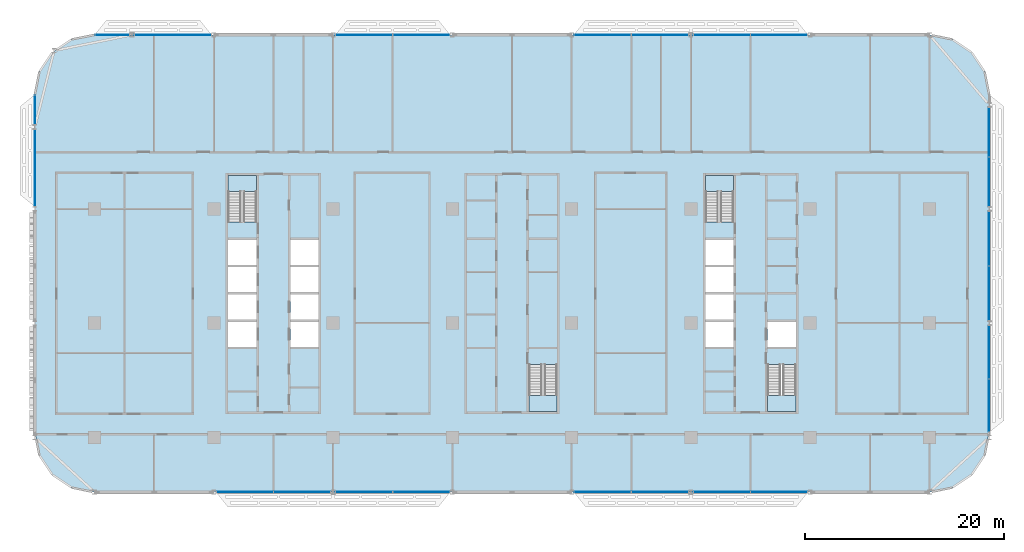
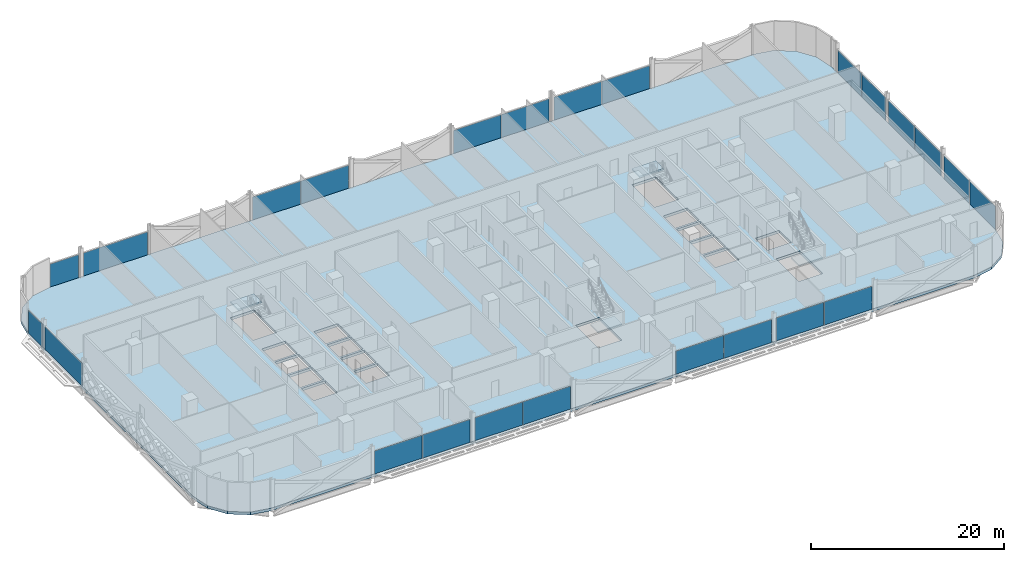
# One storey, part 11 of 29: 24 plates, 5 slabs, 18 elements without a shape of their own.
"""IFC4 building model written with IfcOpenShell, lengths in metres."""

from ifc_helpers import new_model, si_unit, direction, frame, origin, origin_2d, place, context, subcontext, project, spatial, polyline, rectangle, outline, extrude, material, layer, layer_set, type_object, element, aggregate, save


model = new_model("IFC4")

# Units and contexts
model_context = context("Model", 3, precision=1e-05, world=origin(), true_north=direction((0.0, 1.0)))
body_context = subcontext(model_context, "Body", "Model", "MODEL_VIEW")
ifc_project = project(units=[si_unit("LENGTHUNIT", "METRE"), si_unit("AREAUNIT", "SQUARE_METRE"), si_unit("VOLUMEUNIT", "CUBIC_METRE"), si_unit("PLANEANGLEUNIT", "RADIAN"), si_unit("MASSUNIT", "GRAM", prefix="KILO")], contexts=[model_context])

# Site, building, storey
site_placement = place(None, origin())
site = spatial("IfcSite", under=ifc_project, at=site_placement, CompositionType="ELEMENT")
building_placement = place(site_placement, origin())
building = spatial("IfcBuilding", under=site, at=building_placement, Name="Mahtab Terrace Research Tower", CompositionType="ELEMENT")
storey_placement = place(building_placement, frame((0.0, 0.0, 126.10009765625)))
storey = spatial("IfcBuildingStorey", under=building, at=storey_placement, Name="L29", CompositionType="ELEMENT", Elevation=126.10009765625)

# Stair, slab
ifc_material_1 = material(Name="Exit stair half-turn")
stair_type = type_object("IfcStairType", Name="Exit stair half-turn", PredefinedType="HALF_TURN_STAIR", material=ifc_material_1)
stair_1_placement = place(storey_placement, origin())
stair_1 = element("IfcStair", 1, at=stair_1_placement, inside=storey, type_object=stair_type, Name="L29 Protected exit stair ST1", PredefinedType="HALF_TURN_STAIR")
ifc_material_2 = material(Name="Concrete C40/50", Category="concrete")
ifc_layer_1 = layer(ifc_material_2, 0.199951171875)
ifc_layer_set_1 = layer_set([ifc_layer_1], Name="Exit stair landing 200")
slab_type_1 = type_object("IfcSlabType", Name="Exit stair landing 200", PredefinedType="LANDING", material=ifc_layer_set_1)
slab_1_placement = place(storey_placement, frame((0.0, 0.0, 1.849853515625)))
slab_1 = element("IfcSlab", 2, at=slab_1_placement, type_object=slab_type_1, Name="ST1 landing 1", PredefinedType="LANDING", context=body_context, shape_type="SweptSolid", body=[
    extrude(outline(polyline([(-25.699951171875, 13.2548828125), (-25.699951171875, 14.875), (-28.550048828125, 14.875), (-28.550048828125, 13.2548828125), (-25.699951171875, 13.2548828125)])), origin(), (0.0, 0.0, 1.0), 0.199951171875),
])
aggregate(stair_1, [slab_1])

stair_2_placement = place(storey_placement, origin())
stair_2 = element("IfcStair", 3, at=stair_2_placement, inside=storey, type_object=stair_type, Name="L29 Protected exit stair ST2", PredefinedType="HALF_TURN_STAIR")
slab_2_placement = place(storey_placement, frame((0.0, 0.0, 1.849853515625)))
slab_2 = element("IfcSlab", 4, at=slab_2_placement, type_object=slab_type_1, Name="ST2 landing 1", PredefinedType="LANDING", context=body_context, shape_type="SweptSolid", body=[
    extrude(outline(polyline([(1.699951171875, -7.2548828125), (1.699951171875, -8.875), (4.550048828125, -8.875), (4.550048828125, -7.2548828125), (1.699951171875, -7.2548828125)])), origin(), (0.0, 0.0, 1.0), 0.199951171875),
])
aggregate(stair_2, [slab_2])

stair_3_placement = place(storey_placement, origin())
stair_3 = element("IfcStair", 5, at=stair_3_placement, inside=storey, type_object=stair_type, Name="L29 Protected exit stair ST3", PredefinedType="HALF_TURN_STAIR")
slab_3_placement = place(storey_placement, frame((0.0, 0.0, 1.849853515625)))
slab_3 = element("IfcSlab", 6, at=slab_3_placement, type_object=slab_type_1, Name="ST3 landing 1", PredefinedType="LANDING", context=body_context, shape_type="SweptSolid", body=[
    extrude(outline(polyline([(22.300048828125, 13.2548828125), (22.300048828125, 14.875), (19.449951171875, 14.875), (19.449951171875, 13.2548828125), (22.300048828125, 13.2548828125)])), origin(), (0.0, 0.0, 1.0), 0.199951171875),
])
aggregate(stair_3, [slab_3])

stair_4_placement = place(storey_placement, origin())
stair_4 = element("IfcStair", 7, at=stair_4_placement, inside=storey, type_object=stair_type, Name="L29 Protected exit stair ST4", PredefinedType="HALF_TURN_STAIR")
slab_4_placement = place(storey_placement, frame((0.0, 0.0, 1.849853515625)))
slab_4 = element("IfcSlab", 8, at=slab_4_placement, type_object=slab_type_1, Name="ST4 landing 1", PredefinedType="LANDING", context=body_context, shape_type="SweptSolid", body=[
    extrude(outline(polyline([(25.699951171875, -7.2548828125), (25.699951171875, -8.875), (28.550048828125, -8.875), (28.550048828125, -7.2548828125), (25.699951171875, -7.2548828125)])), origin(), (0.0, 0.0, 1.0), 0.199951171875),
])
aggregate(stair_4, [slab_4])

# Curtain wall, plates
ifc_material_3 = material(Name="Laboratory ribbon curtain wall")
curtain_wall_type = type_object("IfcCurtainWallType", Name="Laboratory ribbon curtain wall", PredefinedType="NOTDEFINED", material=ifc_material_3)
curtain_wall_1_placement = place(storey_placement, origin())
curtain_wall_1 = element("IfcCurtainWall", 9, at=curtain_wall_1_placement, inside=storey, type_object=curtain_wall_type, Name="EN.L29.3.4", PredefinedType="NOTDEFINED")
ifc_material_4 = material(Name="Dark glazing", Category="glass")
ifc_layer_2 = layer(ifc_material_4, 0.031982421875)
ifc_layer_set_2 = layer_set([ifc_layer_2], Name="Laboratory ribbon curtain wall glazing panel")
plate_type = type_object("IfcPlateType", Name="Laboratory ribbon curtain wall glazing panel", PredefinedType="CURTAIN_PANEL", material=ifc_layer_set_2)
plate_1_placement = place(storey_placement, frame((26.874755859375, 29.0, 0.0), z_axis=(0.0, 0.0, 1.0), x_axis=(-1.0, 0.0, 0.0)))
plate_1 = element("IfcPlate", 10, at=plate_1_placement, type_object=plate_type, Name="CWL-4 panel 1", PredefinedType="CURTAIN_PANEL", context=body_context, shape_type="SweptSolid", body=[
    extrude(rectangle(XDim=5.6845703125, YDim=0.031982421875, at=origin_2d()), origin(), (0.0, 0.0, 1.0), 2.903076171875),
])
plate_2_placement = place(storey_placement, frame((21.125244140625, 29.0, 0.0), z_axis=(0.0, 0.0, 1.0), x_axis=(-1.0, 0.0, 0.0)))
plate_2 = element("IfcPlate", 11, at=plate_2_placement, type_object=plate_type, Name="CWL-4 panel 2", PredefinedType="CURTAIN_PANEL", context=body_context, shape_type="SweptSolid", body=[
    extrude(rectangle(XDim=5.6845703125, YDim=0.031982421875, at=origin_2d()), origin(), (0.0, 0.0, 1.0), 2.903076171875),
])
aggregate(curtain_wall_1, [plate_1, plate_2])

curtain_wall_2_placement = place(storey_placement, origin())
curtain_wall_2 = element("IfcCurtainWall", 12, at=curtain_wall_2_placement, inside=storey, type_object=curtain_wall_type, Name="EN.L29.3.5", PredefinedType="NOTDEFINED")
plate_3_placement = place(storey_placement, frame((14.874755859375, 29.0, 0.0), z_axis=(0.0, 0.0, 1.0), x_axis=(-1.0, 0.0, 0.0)))
plate_3 = element("IfcPlate", 13, at=plate_3_placement, type_object=plate_type, Name="CWL-4 panel 1", PredefinedType="CURTAIN_PANEL", context=body_context, shape_type="SweptSolid", body=[
    extrude(rectangle(XDim=5.6845703125, YDim=0.031982421875, at=origin_2d()), origin(), (0.0, 0.0, 1.0), 2.903076171875),
])
plate_4_placement = place(storey_placement, frame((9.125244140625, 29.0, 0.0), z_axis=(0.0, 0.0, 1.0), x_axis=(-1.0, 0.0, 0.0)))
plate_4 = element("IfcPlate", 14, at=plate_4_placement, type_object=plate_type, Name="CWL-4 panel 2", PredefinedType="CURTAIN_PANEL", context=body_context, shape_type="SweptSolid", body=[
    extrude(rectangle(XDim=5.6845703125, YDim=0.031982421875, at=origin_2d()), origin(), (0.0, 0.0, 1.0), 2.903076171875),
])
aggregate(curtain_wall_2, [plate_3, plate_4])

curtain_wall_3_placement = place(storey_placement, origin())
curtain_wall_3 = element("IfcCurtainWall", 15, at=curtain_wall_3_placement, inside=storey, type_object=curtain_wall_type, Name="EN.L29.3.7", PredefinedType="NOTDEFINED")
plate_5_placement = place(storey_placement, frame((-9.125244140625, 29.0, 0.0), z_axis=(0.0, 0.0, 1.0), x_axis=(-1.0, 0.0, 0.0)))
plate_5 = element("IfcPlate", 16, at=plate_5_placement, type_object=plate_type, Name="CWL-4 panel 1", PredefinedType="CURTAIN_PANEL", context=body_context, shape_type="SweptSolid", body=[
    extrude(rectangle(XDim=5.6845703125, YDim=0.031982421875, at=origin_2d()), origin(), (0.0, 0.0, 1.0), 2.903076171875),
])
plate_6_placement = place(storey_placement, frame((-14.874755859375, 29.0, 0.0), z_axis=(0.0, 0.0, 1.0), x_axis=(-1.0, 0.0, 0.0)))
plate_6 = element("IfcPlate", 17, at=plate_6_placement, type_object=plate_type, Name="CWL-4 panel 2", PredefinedType="CURTAIN_PANEL", context=body_context, shape_type="SweptSolid", body=[
    extrude(rectangle(XDim=5.6845703125, YDim=0.031982421875, at=origin_2d()), origin(), (0.0, 0.0, 1.0), 2.903076171875),
])
aggregate(curtain_wall_3, [plate_5, plate_6])

# Curtain wall, plate
curtain_wall_4_placement = place(storey_placement, origin())
curtain_wall_4 = element("IfcCurtainWall", 18, at=curtain_wall_4_placement, inside=storey, type_object=curtain_wall_type, Name="EN.L29.3.9", PredefinedType="NOTDEFINED")
plate_7_placement = place(storey_placement, frame((-34.115478515625, 29.0, 0.0), z_axis=(0.0, 0.0, 1.0), x_axis=(-1.0, 0.0, 0.0)))
plate_7 = element("IfcPlate", 19, at=plate_7_placement, type_object=plate_type, Name="CWL-4 panel 1", PredefinedType="CURTAIN_PANEL", context=body_context, shape_type="SweptSolid", body=[
    extrude(rectangle(XDim=7.6650390625, YDim=0.031982421875, at=origin_2d()), origin(), (0.0, 0.0, 1.0), 2.903076171875),
])
aggregate(curtain_wall_4, [plate_7])

curtain_wall_5_placement = place(storey_placement, origin())
curtain_wall_5 = element("IfcCurtainWall", 20, at=curtain_wall_5_placement, inside=storey, type_object=curtain_wall_type, Name="EN.L29.3.10", PredefinedType="NOTDEFINED")
plate_8_placement = place(storey_placement, frame((-40.224609375, 29.0, 0.0), z_axis=(0.0, 0.0, 1.0), x_axis=(-1.0, 0.0, 0.0)))
plate_8 = element("IfcPlate", 21, at=plate_8_placement, type_object=plate_type, Name="CWL-4 panel 1", PredefinedType="CURTAIN_PANEL", context=body_context, shape_type="SweptSolid", body=[
    extrude(rectangle(XDim=3.4208984375, YDim=0.031982421875, at=origin_2d()), origin(), (0.0, 0.0, 1.0), 2.903076171875),
])
aggregate(curtain_wall_5, [plate_8])

curtain_wall_6_placement = place(storey_placement, origin())
curtain_wall_6 = element("IfcCurtainWall", 22, at=curtain_wall_6_placement, inside=storey, type_object=curtain_wall_type, Name="EN.L29.8.15", PredefinedType="NOTDEFINED")
plate_9_placement = place(storey_placement, frame((-48.0, 21.474609375, 0.0), z_axis=(0.0, 0.0, 1.0), x_axis=(0.0, -1.0, 0.0)))
plate_9 = element("IfcPlate", 23, at=plate_9_placement, type_object=plate_type, Name="CWL-4 panel 1", PredefinedType="CURTAIN_PANEL", context=body_context, shape_type="SweptSolid", body=[
    extrude(rectangle(XDim=2.9208984375, YDim=0.031982421875, at=origin_2d()), origin(), (0.0, 0.0, 1.0), 2.903076171875),
])
aggregate(curtain_wall_6, [plate_9])

curtain_wall_7_placement = place(storey_placement, origin())
curtain_wall_7 = element("IfcCurtainWall", 24, at=curtain_wall_7_placement, inside=storey, type_object=curtain_wall_type, Name="EN.L29.8.16", PredefinedType="NOTDEFINED")
plate_10_placement = place(storey_placement, frame((-48.0, 15.615478515625, 0.0), z_axis=(0.0, 0.0, 1.0), x_axis=(0.0, -1.0, 0.0)))
plate_10 = element("IfcPlate", 25, at=plate_10_placement, type_object=plate_type, Name="CWL-4 panel 1", PredefinedType="CURTAIN_PANEL", context=body_context, shape_type="SweptSolid", body=[
    extrude(rectangle(XDim=7.6650390625, YDim=0.031982421875, at=origin_2d()), origin(), (0.0, 0.0, 1.0), 2.903076171875),
])
aggregate(curtain_wall_7, [plate_10])

# Curtain wall, plates
curtain_wall_8_placement = place(storey_placement, origin())
curtain_wall_8 = element("IfcCurtainWall", 26, at=curtain_wall_8_placement, inside=storey, type_object=curtain_wall_type, Name="EN.L29.13.25", PredefinedType="NOTDEFINED")
plate_11_placement = place(storey_placement, frame((-26.874755859375, -17.0, 0.0), z_axis=(0.0, 0.0, 1.0), x_axis=(1.0, 0.0, 0.0)))
plate_11 = element("IfcPlate", 27, at=plate_11_placement, type_object=plate_type, Name="CWL-4 panel 1", PredefinedType="CURTAIN_PANEL", context=body_context, shape_type="SweptSolid", body=[
    extrude(rectangle(XDim=5.6845703125, YDim=0.031982421875, at=origin_2d()), origin(), (0.0, 0.0, 1.0), 2.903076171875),
])
plate_12_placement = place(storey_placement, frame((-21.125244140625, -17.0, 0.0), z_axis=(0.0, 0.0, 1.0), x_axis=(1.0, 0.0, 0.0)))
plate_12 = element("IfcPlate", 28, at=plate_12_placement, type_object=plate_type, Name="CWL-4 panel 2", PredefinedType="CURTAIN_PANEL", context=body_context, shape_type="SweptSolid", body=[
    extrude(rectangle(XDim=5.6845703125, YDim=0.031982421875, at=origin_2d()), origin(), (0.0, 0.0, 1.0), 2.903076171875),
])
aggregate(curtain_wall_8, [plate_11, plate_12])

curtain_wall_9_placement = place(storey_placement, origin())
curtain_wall_9 = element("IfcCurtainWall", 29, at=curtain_wall_9_placement, inside=storey, type_object=curtain_wall_type, Name="EN.L29.13.26", PredefinedType="NOTDEFINED")
plate_13_placement = place(storey_placement, frame((-14.874755859375, -17.0, 0.0), z_axis=(0.0, 0.0, 1.0), x_axis=(1.0, 0.0, 0.0)))
plate_13 = element("IfcPlate", 30, at=plate_13_placement, type_object=plate_type, Name="CWL-4 panel 1", PredefinedType="CURTAIN_PANEL", context=body_context, shape_type="SweptSolid", body=[
    extrude(rectangle(XDim=5.6845703125, YDim=0.031982421875, at=origin_2d()), origin(), (0.0, 0.0, 1.0), 2.903076171875),
])
plate_14_placement = place(storey_placement, frame((-9.125244140625, -17.0, 0.0), z_axis=(0.0, 0.0, 1.0), x_axis=(1.0, 0.0, 0.0)))
plate_14 = element("IfcPlate", 31, at=plate_14_placement, type_object=plate_type, Name="CWL-4 panel 2", PredefinedType="CURTAIN_PANEL", context=body_context, shape_type="SweptSolid", body=[
    extrude(rectangle(XDim=5.6845703125, YDim=0.031982421875, at=origin_2d()), origin(), (0.0, 0.0, 1.0), 2.903076171875),
])
aggregate(curtain_wall_9, [plate_13, plate_14])

curtain_wall_10_placement = place(storey_placement, origin())
curtain_wall_10 = element("IfcCurtainWall", 32, at=curtain_wall_10_placement, inside=storey, type_object=curtain_wall_type, Name="EN.L29.13.28", PredefinedType="NOTDEFINED")
plate_15_placement = place(storey_placement, frame((9.125244140625, -17.0, 0.0), z_axis=(0.0, 0.0, 1.0), x_axis=(1.0, 0.0, 0.0)))
plate_15 = element("IfcPlate", 33, at=plate_15_placement, type_object=plate_type, Name="CWL-4 panel 1", PredefinedType="CURTAIN_PANEL", context=body_context, shape_type="SweptSolid", body=[
    extrude(rectangle(XDim=5.6845703125, YDim=0.031982421875, at=origin_2d()), origin(), (0.0, 0.0, 1.0), 2.903076171875),
])
plate_16_placement = place(storey_placement, frame((14.874755859375, -17.0, 0.0), z_axis=(0.0, 0.0, 1.0), x_axis=(1.0, 0.0, 0.0)))
plate_16 = element("IfcPlate", 34, at=plate_16_placement, type_object=plate_type, Name="CWL-4 panel 2", PredefinedType="CURTAIN_PANEL", context=body_context, shape_type="SweptSolid", body=[
    extrude(rectangle(XDim=5.6845703125, YDim=0.031982421875, at=origin_2d()), origin(), (0.0, 0.0, 1.0), 2.903076171875),
])
aggregate(curtain_wall_10, [plate_15, plate_16])

curtain_wall_11_placement = place(storey_placement, origin())
curtain_wall_11 = element("IfcCurtainWall", 35, at=curtain_wall_11_placement, inside=storey, type_object=curtain_wall_type, Name="EN.L29.13.29", PredefinedType="NOTDEFINED")
plate_17_placement = place(storey_placement, frame((21.125244140625, -17.0, 0.0), z_axis=(0.0, 0.0, 1.0), x_axis=(1.0, 0.0, 0.0)))
plate_17 = element("IfcPlate", 36, at=plate_17_placement, type_object=plate_type, Name="CWL-4 panel 1", PredefinedType="CURTAIN_PANEL", context=body_context, shape_type="SweptSolid", body=[
    extrude(rectangle(XDim=5.6845703125, YDim=0.031982421875, at=origin_2d()), origin(), (0.0, 0.0, 1.0), 2.903076171875),
])
plate_18_placement = place(storey_placement, frame((26.874755859375, -17.0, 0.0), z_axis=(0.0, 0.0, 1.0), x_axis=(1.0, 0.0, 0.0)))
plate_18 = element("IfcPlate", 37, at=plate_18_placement, type_object=plate_type, Name="CWL-4 panel 2", PredefinedType="CURTAIN_PANEL", context=body_context, shape_type="SweptSolid", body=[
    extrude(rectangle(XDim=5.6845703125, YDim=0.031982421875, at=origin_2d()), origin(), (0.0, 0.0, 1.0), 2.903076171875),
])
aggregate(curtain_wall_11, [plate_17, plate_18])

curtain_wall_12_placement = place(storey_placement, origin())
curtain_wall_12 = element("IfcCurtainWall", 38, at=curtain_wall_12_placement, inside=storey, type_object=curtain_wall_type, Name="EN.L29.18.36", PredefinedType="NOTDEFINED")
plate_19_placement = place(storey_placement, frame((48.0, -8.288330078125, 0.0), z_axis=(0.0, 0.0, 1.0), x_axis=(0.0, 1.0, 0.0)))
plate_19 = element("IfcPlate", 39, at=plate_19_placement, type_object=plate_type, Name="CWL-4 panel 1", PredefinedType="CURTAIN_PANEL", context=body_context, shape_type="SweptSolid", body=[
    extrude(rectangle(XDim=5.29345703125, YDim=0.031982421875, at=origin_2d()), origin(), (0.0, 0.0, 1.0), 2.903076171875),
])
plate_20_placement = place(storey_placement, frame((48.0, -2.9296875, 0.0), z_axis=(0.0, 0.0, 1.0), x_axis=(0.0, 1.0, 0.0)))
plate_20 = element("IfcPlate", 40, at=plate_20_placement, type_object=plate_type, Name="CWL-4 panel 2", PredefinedType="CURTAIN_PANEL", context=body_context, shape_type="SweptSolid", body=[
    extrude(rectangle(XDim=5.29345703125, YDim=0.031982421875, at=origin_2d()), origin(), (0.0, 0.0, 1.0), 2.903076171875),
])
aggregate(curtain_wall_12, [plate_19, plate_20])

curtain_wall_13_placement = place(storey_placement, origin())
curtain_wall_13 = element("IfcCurtainWall", 41, at=curtain_wall_13_placement, inside=storey, type_object=curtain_wall_type, Name="EN.L29.18.37", PredefinedType="NOTDEFINED")
plate_21_placement = place(storey_placement, frame((48.0, 3.000244140625, 0.0), z_axis=(0.0, 0.0, 1.0), x_axis=(0.0, 1.0, 0.0)))
plate_21 = element("IfcPlate", 42, at=plate_21_placement, type_object=plate_type, Name="CWL-4 panel 1", PredefinedType="CURTAIN_PANEL", context=body_context, shape_type="SweptSolid", body=[
    extrude(rectangle(XDim=5.4345703125, YDim=0.031982421875, at=origin_2d()), origin(), (0.0, 0.0, 1.0), 2.903076171875),
])
plate_22_placement = place(storey_placement, frame((48.0, 8.499755859375, 0.0), z_axis=(0.0, 0.0, 1.0), x_axis=(0.0, 1.0, 0.0)))
plate_22 = element("IfcPlate", 43, at=plate_22_placement, type_object=plate_type, Name="CWL-4 panel 2", PredefinedType="CURTAIN_PANEL", context=body_context, shape_type="SweptSolid", body=[
    extrude(rectangle(XDim=5.4345703125, YDim=0.031982421875, at=origin_2d()), origin(), (0.0, 0.0, 1.0), 2.903076171875),
])
aggregate(curtain_wall_13, [plate_21, plate_22])

curtain_wall_14_placement = place(storey_placement, origin())
curtain_wall_14 = element("IfcCurtainWall", 44, at=curtain_wall_14_placement, inside=storey, type_object=curtain_wall_type, Name="EN.L29.18.38", PredefinedType="NOTDEFINED")
plate_23_placement = place(storey_placement, frame((48.0, 14.24072265625, 0.0), z_axis=(0.0, 0.0, 1.0), x_axis=(0.0, 1.0, 0.0)))
plate_23 = element("IfcPlate", 45, at=plate_23_placement, type_object=plate_type, Name="CWL-4 panel 1", PredefinedType="CURTAIN_PANEL", context=body_context, shape_type="SweptSolid", body=[
    extrude(rectangle(XDim=4.91552734375, YDim=0.031982421875, at=origin_2d()), origin(), (0.0, 0.0, 1.0), 2.903076171875),
])
plate_24_placement = place(storey_placement, frame((48.0, 19.22119140625, 0.0), z_axis=(0.0, 0.0, 1.0), x_axis=(0.0, 1.0, 0.0)))
plate_24 = element("IfcPlate", 46, at=plate_24_placement, type_object=plate_type, Name="CWL-4 panel 2", PredefinedType="CURTAIN_PANEL", context=body_context, shape_type="SweptSolid", body=[
    extrude(rectangle(XDim=4.91552734375, YDim=0.031982421875, at=origin_2d()), origin(), (0.0, 0.0, 1.0), 2.903076171875),
])
aggregate(curtain_wall_14, [plate_23, plate_24])

# Slab
ifc_layer_3 = layer(ifc_material_2, 0.340087890625)
ifc_layer_set_3 = layer_set([ifc_layer_3], Name="PT flat slab 340")
slab_type_2 = type_object("IfcSlabType", Name="PT flat slab 340", PredefinedType="FLOOR", material=ifc_layer_set_3)
slab_5_placement = place(storey_placement, frame((0.0, 0.0, -0.340087890625)))
element("IfcSlab", 47, at=slab_5_placement, inside=storey, type_object=slab_type_2, Name="Floor slab L29", PredefinedType="FLOOR", context=body_context, shape_type="SweptSolid", body=[
    extrude(outline(polyline([(47.54296875, 25.2958984375), (46.242919921875, 27.242919921875), (44.2958984375, 28.54296875), (42.0, 29.0), (-42.0, 29.0), (-44.2958984375, 28.54296875), (-46.242919921875, 27.242919921875), (-47.54296875, 25.2958984375), (-48.0, 23.0), (-48.0, -11.0), (-47.54296875, -13.2958984375), (-46.242919921875, -15.242919921875), (-44.2958984375, -16.54296875), (-42.0, -17.0), (42.0, -17.0), (44.2958984375, -16.54296875), (46.242919921875, -15.242919921875), (47.54296875, -13.2958984375), (48.0, -11.0), (48.0, 23.0), (47.54296875, 25.2958984375)]), holes=[polyline([(-28.550048828125, -2.375), (-28.550048828125, 0.125), (-25.699951171875, 0.125), (-25.699951171875, -2.375), (-28.550048828125, -2.375)]), polyline([(-22.300048828125, -2.375), (-22.300048828125, 0.125), (-19.449951171875, 0.125), (-19.449951171875, -2.375), (-22.300048828125, -2.375)]), polyline([(-28.550048828125, 0.375), (-28.550048828125, 2.875), (-25.699951171875, 2.875), (-25.699951171875, 0.375), (-28.550048828125, 0.375)]), polyline([(-22.300048828125, 0.375), (-22.300048828125, 2.875), (-19.449951171875, 2.875), (-19.449951171875, 0.375), (-22.300048828125, 0.375)]), polyline([(-28.550048828125, 3.125), (-28.550048828125, 5.625), (-25.699951171875, 5.625), (-25.699951171875, 3.125), (-28.550048828125, 3.125)]), polyline([(-22.300048828125, 3.125), (-22.300048828125, 5.625), (-19.449951171875, 5.625), (-19.449951171875, 3.125), (-22.300048828125, 3.125)]), polyline([(-28.550048828125, 5.875), (-28.550048828125, 8.375), (-25.699951171875, 8.375), (-25.699951171875, 5.875), (-28.550048828125, 5.875)]), polyline([(-22.300048828125, 5.875), (-22.300048828125, 8.375), (-19.449951171875, 8.375), (-19.449951171875, 5.875), (-22.300048828125, 5.875)]), polyline([(-28.550048828125, 10.177001953125), (-28.550048828125, 14.875), (-25.699951171875, 14.875), (-25.699951171875, 10.177001953125), (-28.550048828125, 10.177001953125)]), polyline([(1.699951171875, -8.875), (1.699951171875, -4.177001953125), (4.550048828125, -4.177001953125), (4.550048828125, -8.875), (1.699951171875, -8.875)]), polyline([(25.699951171875, -8.875), (25.699951171875, -4.177001953125), (28.550048828125, -4.177001953125), (28.550048828125, -8.875), (25.699951171875, -8.875)]), polyline([(19.449951171875, -2.375), (19.449951171875, 0.125), (22.300048828125, 0.125), (22.300048828125, -2.375), (19.449951171875, -2.375)]), polyline([(25.699951171875, -2.375), (25.699951171875, 0.125), (28.550048828125, 0.125), (28.550048828125, -2.375), (25.699951171875, -2.375)]), polyline([(19.449951171875, 0.375), (19.449951171875, 2.875), (22.300048828125, 2.875), (22.300048828125, 0.375), (19.449951171875, 0.375)]), polyline([(19.449951171875, 3.125), (19.449951171875, 5.625), (22.300048828125, 5.625), (22.300048828125, 3.125), (19.449951171875, 3.125)]), polyline([(19.449951171875, 8.375), (22.300048828125, 8.375), (22.300048828125, 5.875), (19.449951171875, 5.875), (19.449951171875, 8.375)]), polyline([(19.449951171875, 14.875), (22.300048828125, 14.875), (22.300048828125, 10.177001953125), (19.449951171875, 10.177001953125), (19.449951171875, 14.875)])]), origin(), (0.0, 0.0, 1.0), 0.340087890625),
])

save(model, "model.ifc")
